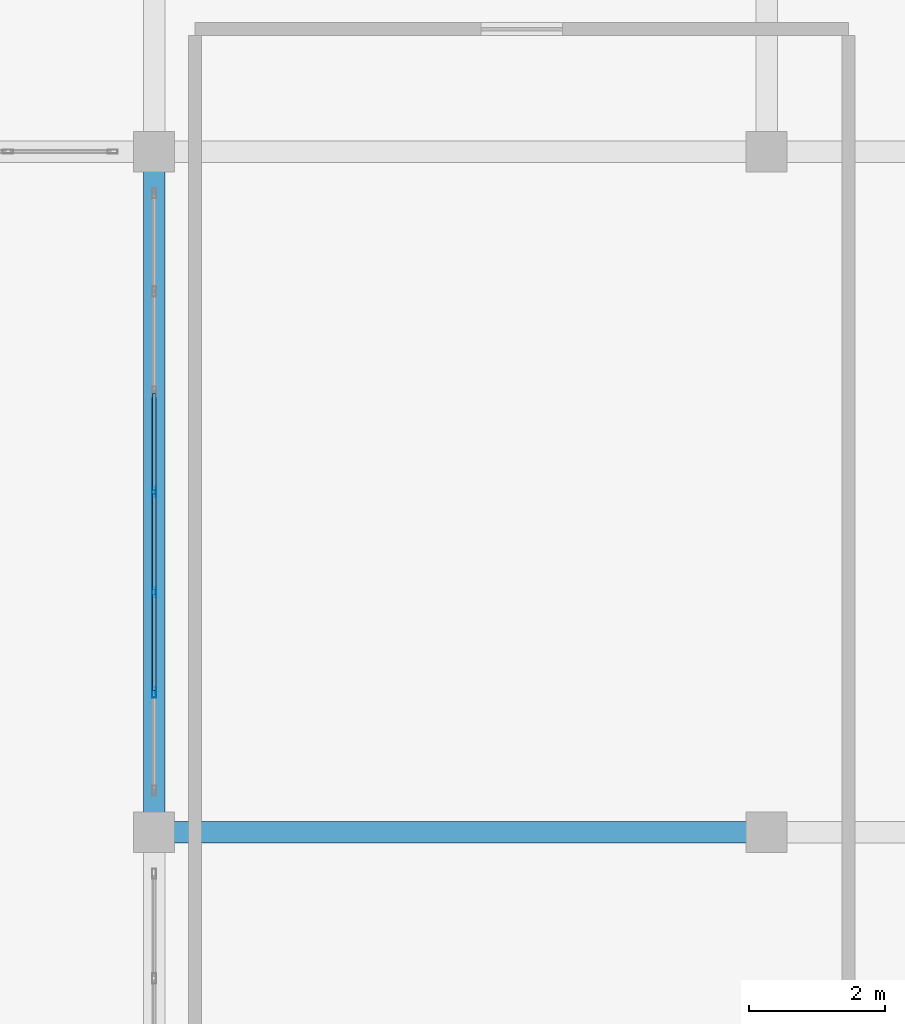
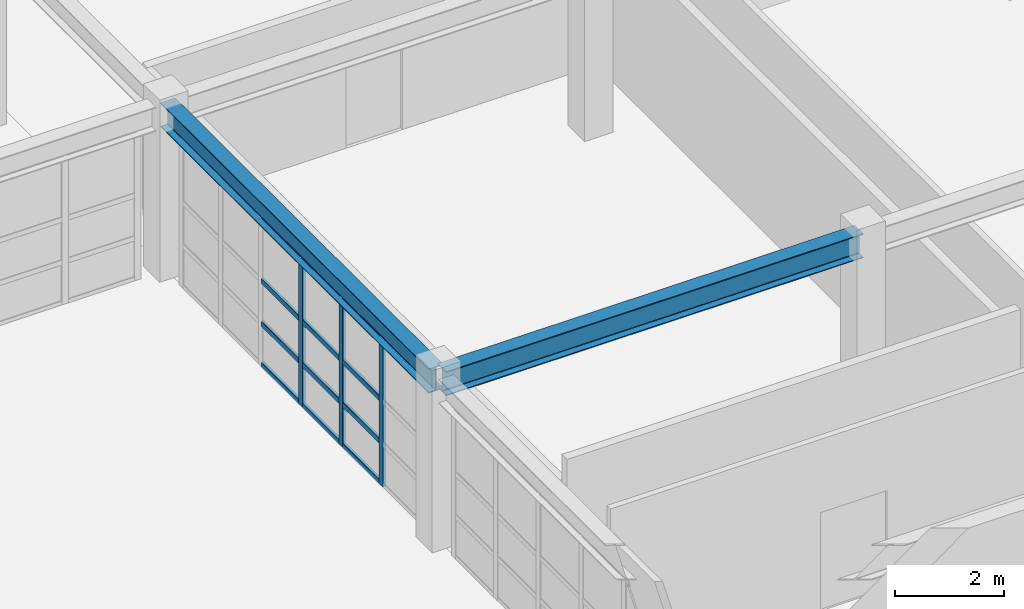
# One storey, part 21 of 110: 15 members, 2 beams, 1 element without a shape of its own.
"""IFC4 building model written with IfcOpenShell, lengths in metres."""

from ifc_helpers import new_model, si_unit, direction, frame, origin, origin_2d, place, context, subcontext, project, spatial, hollow_rectangle, i_section, extrude, material, material_profile, profile_set, type_object, element, aggregate, save


model = new_model("IFC4")

# Units and contexts
model_context = context("Model", 3, precision=1e-05, world=origin(), true_north=direction((0.0, 1.0)))
body_context = subcontext(model_context, "Body", "Model", "MODEL_VIEW")
ifc_project = project(units=[si_unit("LENGTHUNIT", "METRE"), si_unit("AREAUNIT", "SQUARE_METRE"), si_unit("VOLUMEUNIT", "CUBIC_METRE"), si_unit("PLANEANGLEUNIT", "RADIAN"), si_unit("MASSUNIT", "GRAM", prefix="KILO")], contexts=[model_context])

# Site, building, storey
site_placement = place(None, origin())
site = spatial("IfcSite", under=ifc_project, at=site_placement, CompositionType="ELEMENT")
building_placement = place(site_placement, origin())
building = spatial("IfcBuilding", under=site, at=building_placement, Name="Miravela Opera House", CompositionType="ELEMENT")
storey_placement = place(building_placement, frame((0.0, 0.0, 13.60009765625)))
storey = spatial("IfcBuildingStorey", under=building, at=storey_placement, Name="L03", CompositionType="ELEMENT", Elevation=13.60009765625)

# Curtain wall, members
ifc_material_1 = material(Name="Anodised architectural bronze aluminium 6063-T6", Category="aluminium")
curtain_wall_type = type_object("IfcCurtainWallType", Name="ARC-CW-06", PredefinedType="NOTDEFINED", material=ifc_material_1)
curtain_wall_placement = place(storey_placement, origin())
curtain_wall = element("IfcCurtainWall", 1, at=curtain_wall_placement, inside=storey, type_object=curtain_wall_type, Name="Courtyard Arcade Curtain Wall CW-L03-155", PredefinedType="NOTDEFINED")
ifc_material_profile_1 = material_profile(ifc_material_1, hollow_rectangle(XDim=0.06005859375, YDim=0.14990234375, WallThickness=0.00390625, InnerFilletRadius=0.001953125, OuterFilletRadius=0.00390625, at=origin_2d()), Name="CWM-60X150")
ifc_profile_set_1 = profile_set([ifc_material_profile_1])
member_type_1 = type_object("IfcMemberType", Name="ARC-CWM-150", PredefinedType="MULLION", material=ifc_profile_set_1)
member_1_placement = place(storey_placement, frame((63.0, 20.05322265625, 0.0), z_axis=(0.0, 0.0, 1.0), x_axis=(-1.0, 0.0, 0.0)))
member_1 = element("IfcMember", 2, at=member_1_placement, type_object=member_type_1, Name="CW-06 mullion 2", PredefinedType="MULLION", context=body_context, shape_type="SweptSolid", body=[
    extrude(hollow_rectangle(XDim=0.06005859375, YDim=0.14990234375, WallThickness=0.00390625, InnerFilletRadius=0.001953125, OuterFilletRadius=0.00390625, at=origin_2d()), origin(), (0.0, 0.0, 1.0), 3.289794921875),
])
member_2_placement = place(storey_placement, frame((63.0, 21.526611328125, 0.0), z_axis=(0.0, 0.0, 1.0), x_axis=(-1.0, 0.0, 0.0)))
member_2 = element("IfcMember", 3, at=member_2_placement, type_object=member_type_1, Name="CW-06 mullion 3", PredefinedType="MULLION", context=body_context, shape_type="SweptSolid", body=[
    extrude(hollow_rectangle(XDim=0.06005859375, YDim=0.14990234375, WallThickness=0.00390625, InnerFilletRadius=0.001953125, OuterFilletRadius=0.00390625, at=origin_2d()), origin(), (0.0, 0.0, 1.0), 3.289794921875),
])
member_3_placement = place(storey_placement, frame((63.0, 23.0, 0.0), z_axis=(0.0, 0.0, 1.0), x_axis=(-1.0, 0.0, 0.0)))
member_3 = element("IfcMember", 4, at=member_3_placement, type_object=member_type_1, Name="CW-06 mullion 4", PredefinedType="MULLION", context=body_context, shape_type="SweptSolid", body=[
    extrude(hollow_rectangle(XDim=0.06005859375, YDim=0.14990234375, WallThickness=0.00390625, InnerFilletRadius=0.001953125, OuterFilletRadius=0.00390625, at=origin_2d()), origin(), (0.0, 0.0, 1.0), 3.289794921875),
])
ifc_material_profile_2 = material_profile(ifc_material_1, hollow_rectangle(XDim=0.06005859375, YDim=0.114990234375, WallThickness=0.00390625, InnerFilletRadius=0.001953125, OuterFilletRadius=0.00390625, at=origin_2d()), Name="CWT-60X115")
ifc_profile_set_2 = profile_set([ifc_material_profile_2])
member_type_2 = type_object("IfcMemberType", Name="ARC-CWT-115", PredefinedType="USERDEFINED", material=ifc_profile_set_2)
member_4_placement = place(storey_placement, frame((63.0, 20.083251953125, 0.02978515625), z_axis=(0.0, 1.0, 0.0), x_axis=(-1.0, 0.0, 0.0)))
member_4 = element("IfcMember", 5, at=member_4_placement, type_object=member_type_2, Name="CW-06 transom 2.1", ObjectType="TRANSOM", PredefinedType="USERDEFINED", context=body_context, shape_type="SweptSolid", body=[
    extrude(hollow_rectangle(XDim=0.06005859375, YDim=0.114990234375, WallThickness=0.00390625, InnerFilletRadius=0.001953125, OuterFilletRadius=0.00390625, at=origin_2d()), origin(), (0.0, 0.0, 1.0), 1.413330078125),
])
member_5_placement = place(storey_placement, frame((63.0, 20.083251953125, 0.949951171875), z_axis=(0.0, 1.0, 0.0), x_axis=(-1.0, 0.0, 0.0)))
member_5 = element("IfcMember", 6, at=member_5_placement, type_object=member_type_2, Name="CW-06 transom 2.2", ObjectType="TRANSOM", PredefinedType="USERDEFINED", context=body_context, shape_type="SweptSolid", body=[
    extrude(hollow_rectangle(XDim=0.06005859375, YDim=0.114990234375, WallThickness=0.00390625, InnerFilletRadius=0.001953125, OuterFilletRadius=0.00390625, at=origin_2d()), origin(), (0.0, 0.0, 1.0), 1.413330078125),
])
member_6_placement = place(storey_placement, frame((63.0, 20.083251953125, 1.908203125), z_axis=(0.0, 1.0, 0.0), x_axis=(-1.0, 0.0, 0.0)))
member_6 = element("IfcMember", 7, at=member_6_placement, type_object=member_type_2, Name="CW-06 transom 2.3", ObjectType="TRANSOM", PredefinedType="USERDEFINED", context=body_context, shape_type="SweptSolid", body=[
    extrude(hollow_rectangle(XDim=0.06005859375, YDim=0.114990234375, WallThickness=0.00390625, InnerFilletRadius=0.001953125, OuterFilletRadius=0.00390625, at=origin_2d()), origin(), (0.0, 0.0, 1.0), 1.413330078125),
])
member_7_placement = place(storey_placement, frame((63.0, 20.083251953125, 3.260009765625), z_axis=(0.0, 1.0, 0.0), x_axis=(-1.0, 0.0, 0.0)))
member_7 = element("IfcMember", 8, at=member_7_placement, type_object=member_type_2, Name="CW-06 transom 2.4", ObjectType="TRANSOM", PredefinedType="USERDEFINED", context=body_context, shape_type="SweptSolid", body=[
    extrude(hollow_rectangle(XDim=0.06005859375, YDim=0.114990234375, WallThickness=0.00390625, InnerFilletRadius=0.001953125, OuterFilletRadius=0.00390625, at=origin_2d()), origin(), (0.0, 0.0, 1.0), 1.413330078125),
])
member_8_placement = place(storey_placement, frame((63.0, 21.556640625, 0.02978515625), z_axis=(0.0, 1.0, 0.0), x_axis=(-1.0, 0.0, 0.0)))
member_8 = element("IfcMember", 9, at=member_8_placement, type_object=member_type_2, Name="CW-06 transom 3.1", ObjectType="TRANSOM", PredefinedType="USERDEFINED", context=body_context, shape_type="SweptSolid", body=[
    extrude(hollow_rectangle(XDim=0.06005859375, YDim=0.114990234375, WallThickness=0.00390625, InnerFilletRadius=0.001953125, OuterFilletRadius=0.00390625, at=origin_2d()), origin(), (0.0, 0.0, 1.0), 1.413330078125),
])
member_9_placement = place(storey_placement, frame((63.0, 21.556640625, 0.949951171875), z_axis=(0.0, 1.0, 0.0), x_axis=(-1.0, 0.0, 0.0)))
member_9 = element("IfcMember", 10, at=member_9_placement, type_object=member_type_2, Name="CW-06 transom 3.2", ObjectType="TRANSOM", PredefinedType="USERDEFINED", context=body_context, shape_type="SweptSolid", body=[
    extrude(hollow_rectangle(XDim=0.06005859375, YDim=0.114990234375, WallThickness=0.00390625, InnerFilletRadius=0.001953125, OuterFilletRadius=0.00390625, at=origin_2d()), origin(), (0.0, 0.0, 1.0), 1.413330078125),
])
member_10_placement = place(storey_placement, frame((63.0, 21.556640625, 1.908203125), z_axis=(0.0, 1.0, 0.0), x_axis=(-1.0, 0.0, 0.0)))
member_10 = element("IfcMember", 11, at=member_10_placement, type_object=member_type_2, Name="CW-06 transom 3.3", ObjectType="TRANSOM", PredefinedType="USERDEFINED", context=body_context, shape_type="SweptSolid", body=[
    extrude(hollow_rectangle(XDim=0.06005859375, YDim=0.114990234375, WallThickness=0.00390625, InnerFilletRadius=0.001953125, OuterFilletRadius=0.00390625, at=origin_2d()), origin(), (0.0, 0.0, 1.0), 1.413330078125),
])
member_11_placement = place(storey_placement, frame((63.0, 21.556640625, 3.260009765625), z_axis=(0.0, 1.0, 0.0), x_axis=(-1.0, 0.0, 0.0)))
member_11 = element("IfcMember", 12, at=member_11_placement, type_object=member_type_2, Name="CW-06 transom 3.4", ObjectType="TRANSOM", PredefinedType="USERDEFINED", context=body_context, shape_type="SweptSolid", body=[
    extrude(hollow_rectangle(XDim=0.06005859375, YDim=0.114990234375, WallThickness=0.00390625, InnerFilletRadius=0.001953125, OuterFilletRadius=0.00390625, at=origin_2d()), origin(), (0.0, 0.0, 1.0), 1.413330078125),
])
member_12_placement = place(storey_placement, frame((63.0, 23.030029296875, 0.02978515625), z_axis=(0.0, 1.0, 0.0), x_axis=(-1.0, 0.0, 0.0)))
member_12 = element("IfcMember", 13, at=member_12_placement, type_object=member_type_2, Name="CW-06 transom 4.1", ObjectType="TRANSOM", PredefinedType="USERDEFINED", context=body_context, shape_type="SweptSolid", body=[
    extrude(hollow_rectangle(XDim=0.06005859375, YDim=0.114990234375, WallThickness=0.00390625, InnerFilletRadius=0.001953125, OuterFilletRadius=0.00390625, at=origin_2d()), origin(), (0.0, 0.0, 1.0), 1.413330078125),
])
member_13_placement = place(storey_placement, frame((63.0, 23.030029296875, 0.949951171875), z_axis=(0.0, 1.0, 0.0), x_axis=(-1.0, 0.0, 0.0)))
member_13 = element("IfcMember", 14, at=member_13_placement, type_object=member_type_2, Name="CW-06 transom 4.2", ObjectType="TRANSOM", PredefinedType="USERDEFINED", context=body_context, shape_type="SweptSolid", body=[
    extrude(hollow_rectangle(XDim=0.06005859375, YDim=0.114990234375, WallThickness=0.00390625, InnerFilletRadius=0.001953125, OuterFilletRadius=0.00390625, at=origin_2d()), origin(), (0.0, 0.0, 1.0), 1.413330078125),
])
member_14_placement = place(storey_placement, frame((63.0, 23.030029296875, 1.908203125), z_axis=(0.0, 1.0, 0.0), x_axis=(-1.0, 0.0, 0.0)))
member_14 = element("IfcMember", 15, at=member_14_placement, type_object=member_type_2, Name="CW-06 transom 4.3", ObjectType="TRANSOM", PredefinedType="USERDEFINED", context=body_context, shape_type="SweptSolid", body=[
    extrude(hollow_rectangle(XDim=0.06005859375, YDim=0.114990234375, WallThickness=0.00390625, InnerFilletRadius=0.001953125, OuterFilletRadius=0.00390625, at=origin_2d()), origin(), (0.0, 0.0, 1.0), 1.413330078125),
])
member_15_placement = place(storey_placement, frame((63.0, 23.030029296875, 3.260009765625), z_axis=(0.0, 1.0, 0.0), x_axis=(-1.0, 0.0, 0.0)))
member_15 = element("IfcMember", 16, at=member_15_placement, type_object=member_type_2, Name="CW-06 transom 4.4", ObjectType="TRANSOM", PredefinedType="USERDEFINED", context=body_context, shape_type="SweptSolid", body=[
    extrude(hollow_rectangle(XDim=0.06005859375, YDim=0.114990234375, WallThickness=0.00390625, InnerFilletRadius=0.001953125, OuterFilletRadius=0.00390625, at=origin_2d()), origin(), (0.0, 0.0, 1.0), 1.413330078125),
])
aggregate(curtain_wall, [member_1, member_2, member_3, member_4, member_5, member_6, member_7, member_8, member_9, member_10, member_11, member_12, member_13, member_14, member_15])

# Beams
ifc_material_2 = material(Name="Structural steel ASTM A992 Gr. 50", Category="steel")
ifc_material_profile_3 = material_profile(ifc_material_2, i_section(OverallWidth=0.31201171875, OverallDepth=0.54296875, WebThickness=0.0126953125, FlangeThickness=0.020263671875, FilletRadius=0.01611328125, at=origin_2d()), Name="W530X150")
ifc_profile_set_3 = profile_set([ifc_material_profile_3])
beam_type = type_object("IfcBeamType", Name="STR-BM-W530X150", PredefinedType="BEAM", material=ifc_profile_set_3)
beam_1_placement = place(storey_placement, frame((63.0, 18.080078125, 3.568359375), z_axis=(0.0, 1.0, 0.0), x_axis=(-1.0, 0.0, 0.0)))
element("IfcBeam", 17, at=beam_1_placement, inside=storey, type_object=beam_type, Name="Roof Eave Girder ROOF-V4-MID W2", PredefinedType="BEAM", context=body_context, shape_type="SweptSolid", body=[
    extrude(i_section(OverallWidth=0.31201171875, OverallDepth=0.54296875, WebThickness=0.0126953125, FlangeThickness=0.020263671875, FilletRadius=0.01611328125, at=origin_2d()), origin(), (0.0, 0.0, 1.0), 9.83984375),
])
beam_2_placement = place(storey_placement, frame((63.080078125, 18.0, 3.568359375), z_axis=(1.0, 0.0, 0.0), x_axis=(0.0, 1.0, 0.0)))
element("IfcBeam", 18, at=beam_2_placement, inside=storey, type_object=beam_type, Name="Roof King-Post Transverse Tie Girder ROOF-V4-MID T1.1", PredefinedType="BEAM", context=body_context, shape_type="SweptSolid", body=[
    extrude(i_section(OverallWidth=0.31201171875, OverallDepth=0.54296875, WebThickness=0.0126953125, FlangeThickness=0.020263671875, FilletRadius=0.01611328125, at=origin_2d()), origin(), (0.0, 0.0, 1.0), 8.83984375),
])

save(model, "model.ifc")
